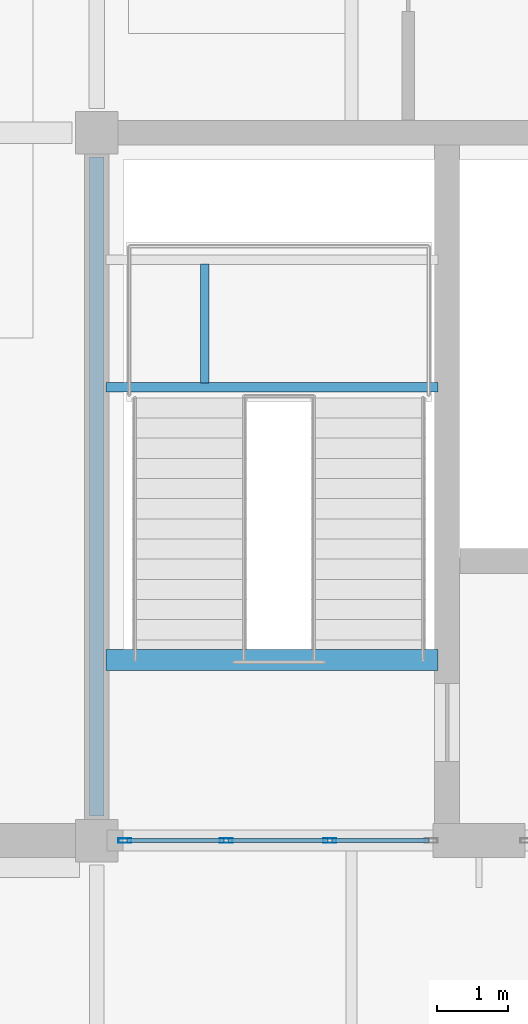
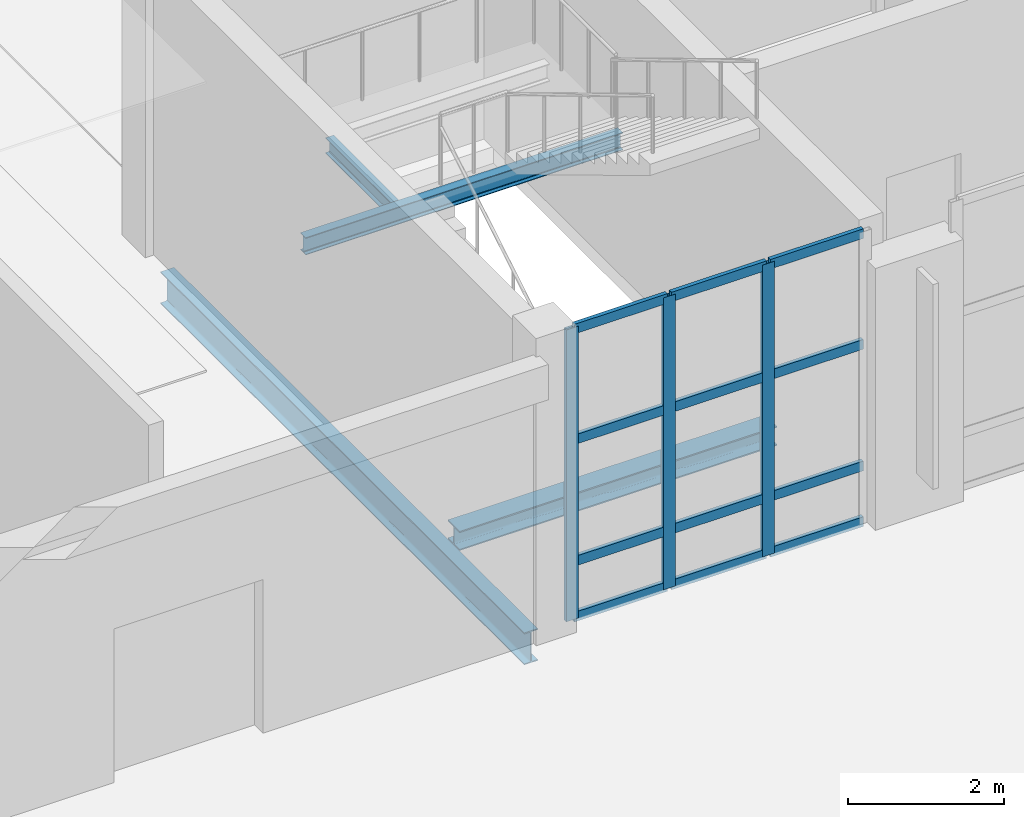
# One storey, part 21 of 100: 15 members, 4 beams, 1 element without a shape of its own.
"""IFC4 building model written with IfcOpenShell, lengths in metres."""

from ifc_helpers import new_model, si_unit, direction, frame, origin, origin_2d, place, context, subcontext, project, spatial, hollow_rectangle, i_section, extrude, material, layer, layer_set, material_profile, profile_set, type_object, element, aggregate, save


model = new_model("IFC4")

# Units and contexts
model_context = context("Model", 3, precision=1e-05, world=origin(), true_north=direction((0.0, 1.0)))
body_context = subcontext(model_context, "Body", "Model", "MODEL_VIEW")
ifc_project = project(units=[si_unit("LENGTHUNIT", "METRE"), si_unit("AREAUNIT", "SQUARE_METRE"), si_unit("VOLUMEUNIT", "CUBIC_METRE"), si_unit("PLANEANGLEUNIT", "RADIAN"), si_unit("MASSUNIT", "GRAM", prefix="KILO")], contexts=[model_context])

# Site, building, storey
site_placement = place(None, origin())
site = spatial("IfcSite", under=ifc_project, at=site_placement, CompositionType="ELEMENT")
building_placement = place(site_placement, origin())
building = spatial("IfcBuilding", under=site, at=building_placement, Name="Tasgan Crest Museum", CompositionType="ELEMENT")
storey_placement = place(building_placement, frame((0.0, 0.0, 9.60009765625)))
storey = spatial("IfcBuildingStorey", under=building, at=storey_placement, Name="L02", CompositionType="ELEMENT", Elevation=9.60009765625)

# Beams
ifc_material_1 = material(Name="Steel S355J2", Category="steel")
ifc_material_profile_1 = material_profile(ifc_material_1, i_section(OverallWidth=0.300048828125, OverallDepth=0.300048828125, WebThickness=0.010986328125, FlangeThickness=0.01904296875, FilletRadius=0.027099609375, at=origin_2d()), Name="HEB 300")
ifc_profile_set_1 = profile_set([ifc_material_profile_1], Name="Steel S355J2")
beam_type_1 = type_object("IfcBeamType", Name="BM-G-HEB300", PredefinedType="BEAM", material=ifc_profile_set_1)
beam_1_placement = place(storey_placement, frame((43.330078125, 42.550048828125, -0.150146484375), z_axis=(1.0, 0.0, 0.0), x_axis=(0.0, 1.0, 0.0)))
element("IfcBeam", 1, at=beam_1_placement, inside=storey, type_object=beam_type_1, Name="Stair threshold trimmer beam ST-SW-L02", PredefinedType="BEAM", context=body_context, shape_type="SweptSolid", body=[
    extrude(i_section(OverallWidth=0.300048828125, OverallDepth=0.300048828125, WebThickness=0.010986328125, FlangeThickness=0.01904296875, FilletRadius=0.027099609375, at=origin_2d()), origin(), (0.0, 0.0, 1.0), 4.68994140625),
])
ifc_material_2 = material(Name="Steel S355J2", Category="steel")
ifc_material_profile_2 = material_profile(ifc_material_2, i_section(OverallWidth=0.199951171875, OverallDepth=0.5, WebThickness=0.01025390625, FlangeThickness=0.01611328125, FilletRadius=0.02099609375, at=origin_2d()), Name="IPE 500")
ifc_profile_set_2 = profile_set([ifc_material_profile_2], Name="Steel S355J2")
beam_type_2 = type_object("IfcBeamType", Name="BM-G-IPE500", PredefinedType="BEAM", material=ifc_profile_set_2)
beam_2_placement = place(storey_placement, frame((43.199951171875, 40.344970703125, -0.510009765625), z_axis=(0.0, 1.0, 0.0), x_axis=(-1.0, 0.0, 0.0)))
element("IfcBeam", 2, at=beam_2_placement, inside=storey, type_object=beam_type_2, Name="Beam L02 5 40.0-50.0", PredefinedType="BEAM", context=body_context, shape_type="SweptSolid", body=[
    extrude(i_section(OverallWidth=0.199951171875, OverallDepth=0.5, WebThickness=0.01025390625, FlangeThickness=0.01611328125, FilletRadius=0.02099609375, at=origin_2d()), origin(), (0.0, 0.0, 1.0), 9.31005859375),
])
ifc_material_3 = material(Name="Steel S355J2", Category="steel")
ifc_material_profile_3 = material_profile(ifc_material_3, i_section(OverallWidth=0.1201171875, OverallDepth=0.239990234375, WebThickness=0.006103515625, FlangeThickness=0.009765625, FilletRadius=0.014892578125, at=origin_2d()), Name="IPE 240")
ifc_profile_set_3 = profile_set([ifc_material_profile_3], Name="Steel S355J2")
beam_type_3 = type_object("IfcBeamType", Name="BM-LAND-IPE240", PredefinedType="BEAM", material=ifc_profile_set_3)
beam_3_placement = place(storey_placement, frame((44.72509765625, 46.465087890625, 2.079833984375), z_axis=(0.0, 1.0, 0.0), x_axis=(-1.0, 0.0, 0.0)))
element("IfcBeam", 3, at=beam_3_placement, inside=storey, type_object=beam_type_3, Name="Stair half-landing crossbeam ST-SW-L02 T1", PredefinedType="BEAM", context=body_context, shape_type="SweptSolid", body=[
    extrude(i_section(OverallWidth=0.1201171875, OverallDepth=0.239990234375, WebThickness=0.006103515625, FlangeThickness=0.009765625, FilletRadius=0.014892578125, at=origin_2d()), origin(), (0.0, 0.0, 1.0), 1.679931640625),
])
ifc_material_4 = material(Name="Steel S355J2", Category="steel")
ifc_material_profile_4 = material_profile(ifc_material_4, i_section(OverallWidth=0.135009765625, OverallDepth=0.27001953125, WebThickness=0.006591796875, FlangeThickness=0.01025390625, FilletRadius=0.014892578125, at=origin_2d()), Name="IPE 270")
ifc_profile_set_4 = profile_set([ifc_material_profile_4], Name="Steel S355J2")
beam_type_4 = type_object("IfcBeamType", Name="BM-LAND-IPE270", PredefinedType="BEAM", material=ifc_profile_set_4)
beam_4_placement = place(storey_placement, frame((43.330078125, 46.405029296875, 2.06494140625), z_axis=(1.0, 0.0, 0.0), x_axis=(0.0, 1.0, 0.0)))
element("IfcBeam", 4, at=beam_4_placement, inside=storey, type_object=beam_type_4, Name="Stair half-landing beam ST-SW-L02 T1F", PredefinedType="BEAM", context=body_context, shape_type="SweptSolid", body=[
    extrude(i_section(OverallWidth=0.135009765625, OverallDepth=0.27001953125, WebThickness=0.006591796875, FlangeThickness=0.01025390625, FilletRadius=0.014892578125, at=origin_2d()), origin(), (0.0, 0.0, 1.0), 4.68994140625),
])

# Curtain wall, members
ifc_material_5 = material(Name="Triple-Glazed Aluminium Curtain Wall", Category="aluminium")
ifc_layer = layer(ifc_material_5, 0.179931640625, Name="CW-CANT-SIDE-48")
ifc_layer_set = layer_set([ifc_layer], Name="Triple-Glazed Aluminium Curtain Wall")
curtain_wall_type = type_object("IfcCurtainWallType", Name="CW-CANT-SIDE-48", PredefinedType="NOTDEFINED", material=ifc_layer_set)
curtain_wall_placement = place(storey_placement, origin())
curtain_wall = element("IfcCurtainWall", 5, at=curtain_wall_placement, inside=storey, type_object=curtain_wall_type, Name="Curtain wall L02 099", PredefinedType="NOTDEFINED")
ifc_material_6 = material(Name="Anodised Aluminium", Category="aluminium")
ifc_material_profile_5 = material_profile(ifc_material_6, hollow_rectangle(XDim=0.06494140625, YDim=0.179931640625, WallThickness=0.0048828125, at=origin_2d()), Name="ALU MULLION 180x65x5")
ifc_profile_set_5 = profile_set([ifc_material_profile_5], Name="Anodised Aluminium")
member_type_1 = type_object("IfcMemberType", Name="CW-MULLION-180", PredefinedType="MULLION", material=ifc_profile_set_5)
member_1_placement = place(storey_placement, frame((43.594970703125, 40.0, 0.0), z_axis=(0.0, 0.0, 1.0), x_axis=(0.0, 1.0, 0.0)))
member_1 = element("IfcMember", 6, at=member_1_placement, type_object=member_type_1, Name="CW11 mullion 1", PredefinedType="MULLION", context=body_context, shape_type="SweptSolid", body=[
    extrude(hollow_rectangle(XDim=0.06494140625, YDim=0.179931640625, WallThickness=0.0048828125, at=origin_2d()), origin(), (0.0, 0.0, 1.0), 4.559814453125),
])
member_2_placement = place(storey_placement, frame((45.0283203125, 40.0, 0.0), z_axis=(0.0, 0.0, 1.0), x_axis=(0.0, 1.0, 0.0)))
member_2 = element("IfcMember", 7, at=member_2_placement, type_object=member_type_1, Name="CW11 mullion 2", PredefinedType="MULLION", context=body_context, shape_type="SweptSolid", body=[
    extrude(hollow_rectangle(XDim=0.06494140625, YDim=0.179931640625, WallThickness=0.0048828125, at=origin_2d()), origin(), (0.0, 0.0, 1.0), 4.559814453125),
])
member_3_placement = place(storey_placement, frame((46.49169921875, 40.0, 0.0), z_axis=(0.0, 0.0, 1.0), x_axis=(0.0, 1.0, 0.0)))
member_3 = element("IfcMember", 8, at=member_3_placement, type_object=member_type_1, Name="CW11 mullion 3", PredefinedType="MULLION", context=body_context, shape_type="SweptSolid", body=[
    extrude(hollow_rectangle(XDim=0.06494140625, YDim=0.179931640625, WallThickness=0.0048828125, at=origin_2d()), origin(), (0.0, 0.0, 1.0), 4.559814453125),
])
ifc_material_7 = material(Name="Anodised Aluminium", Category="aluminium")
ifc_material_profile_6 = material_profile(ifc_material_7, hollow_rectangle(XDim=0.06005859375, YDim=0.14990234375, WallThickness=0.0048828125, at=origin_2d()), Name="ALU TRANSOM 150x60x5")
ifc_profile_set_6 = profile_set([ifc_material_profile_6], Name="Anodised Aluminium")
member_type_2 = type_object("IfcMemberType", Name="CW-TRANSOM-150", PredefinedType="USERDEFINED", material=ifc_profile_set_6)
member_4_placement = place(storey_placement, frame((43.625, 40.0, 0.02978515625), z_axis=(1.0, 0.0, 0.0), x_axis=(0.0, 1.0, 0.0)))
member_4 = element("IfcMember", 9, at=member_4_placement, type_object=member_type_2, Name="CW11 transom 1.1", ObjectType="TRANSOM", PredefinedType="USERDEFINED", context=body_context, shape_type="SweptSolid", body=[
    extrude(hollow_rectangle(XDim=0.06005859375, YDim=0.14990234375, WallThickness=0.0048828125, at=origin_2d()), origin(), (0.0, 0.0, 1.0), 1.373291015625),
])
member_5_placement = place(storey_placement, frame((43.625, 40.0, 0.89990234375), z_axis=(1.0, 0.0, 0.0), x_axis=(0.0, 1.0, 0.0)))
member_5 = element("IfcMember", 10, at=member_5_placement, type_object=member_type_2, Name="CW11 transom 1.2", ObjectType="TRANSOM", PredefinedType="USERDEFINED", context=body_context, shape_type="SweptSolid", body=[
    extrude(hollow_rectangle(XDim=0.06005859375, YDim=0.14990234375, WallThickness=0.0048828125, at=origin_2d()), origin(), (0.0, 0.0, 1.0), 1.373291015625),
])
member_6_placement = place(storey_placement, frame((43.625, 40.0, 2.7998046875), z_axis=(1.0, 0.0, 0.0), x_axis=(0.0, 1.0, 0.0)))
member_6 = element("IfcMember", 11, at=member_6_placement, type_object=member_type_2, Name="CW11 transom 1.3", ObjectType="TRANSOM", PredefinedType="USERDEFINED", context=body_context, shape_type="SweptSolid", body=[
    extrude(hollow_rectangle(XDim=0.06005859375, YDim=0.14990234375, WallThickness=0.0048828125, at=origin_2d()), origin(), (0.0, 0.0, 1.0), 1.373291015625),
])
member_7_placement = place(storey_placement, frame((43.625, 40.0, 4.52978515625), z_axis=(1.0, 0.0, 0.0), x_axis=(0.0, 1.0, 0.0)))
member_7 = element("IfcMember", 12, at=member_7_placement, type_object=member_type_2, Name="CW11 transom 1.4", ObjectType="TRANSOM", PredefinedType="USERDEFINED", context=body_context, shape_type="SweptSolid", body=[
    extrude(hollow_rectangle(XDim=0.06005859375, YDim=0.14990234375, WallThickness=0.0048828125, at=origin_2d()), origin(), (0.0, 0.0, 1.0), 1.373291015625),
])
member_8_placement = place(storey_placement, frame((45.058349609375, 40.0, 0.02978515625), z_axis=(1.0, 0.0, 0.0), x_axis=(0.0, 1.0, 0.0)))
member_8 = element("IfcMember", 13, at=member_8_placement, type_object=member_type_2, Name="CW11 transom 2.1", ObjectType="TRANSOM", PredefinedType="USERDEFINED", context=body_context, shape_type="SweptSolid", body=[
    extrude(hollow_rectangle(XDim=0.06005859375, YDim=0.14990234375, WallThickness=0.0048828125, at=origin_2d()), origin(), (0.0, 0.0, 1.0), 1.4033203125),
])
member_9_placement = place(storey_placement, frame((45.058349609375, 40.0, 0.89990234375), z_axis=(1.0, 0.0, 0.0), x_axis=(0.0, 1.0, 0.0)))
member_9 = element("IfcMember", 14, at=member_9_placement, type_object=member_type_2, Name="CW11 transom 2.2", ObjectType="TRANSOM", PredefinedType="USERDEFINED", context=body_context, shape_type="SweptSolid", body=[
    extrude(hollow_rectangle(XDim=0.06005859375, YDim=0.14990234375, WallThickness=0.0048828125, at=origin_2d()), origin(), (0.0, 0.0, 1.0), 1.4033203125),
])
member_10_placement = place(storey_placement, frame((45.058349609375, 40.0, 2.7998046875), z_axis=(1.0, 0.0, 0.0), x_axis=(0.0, 1.0, 0.0)))
member_10 = element("IfcMember", 15, at=member_10_placement, type_object=member_type_2, Name="CW11 transom 2.3", ObjectType="TRANSOM", PredefinedType="USERDEFINED", context=body_context, shape_type="SweptSolid", body=[
    extrude(hollow_rectangle(XDim=0.06005859375, YDim=0.14990234375, WallThickness=0.0048828125, at=origin_2d()), origin(), (0.0, 0.0, 1.0), 1.4033203125),
])
member_11_placement = place(storey_placement, frame((45.058349609375, 40.0, 4.52978515625), z_axis=(1.0, 0.0, 0.0), x_axis=(0.0, 1.0, 0.0)))
member_11 = element("IfcMember", 16, at=member_11_placement, type_object=member_type_2, Name="CW11 transom 2.4", ObjectType="TRANSOM", PredefinedType="USERDEFINED", context=body_context, shape_type="SweptSolid", body=[
    extrude(hollow_rectangle(XDim=0.06005859375, YDim=0.14990234375, WallThickness=0.0048828125, at=origin_2d()), origin(), (0.0, 0.0, 1.0), 1.4033203125),
])
member_12_placement = place(storey_placement, frame((46.521728515625, 40.0, 0.02978515625), z_axis=(1.0, 0.0, 0.0), x_axis=(0.0, 1.0, 0.0)))
member_12 = element("IfcMember", 17, at=member_12_placement, type_object=member_type_2, Name="CW11 transom 3.1", ObjectType="TRANSOM", PredefinedType="USERDEFINED", context=body_context, shape_type="SweptSolid", body=[
    extrude(hollow_rectangle(XDim=0.06005859375, YDim=0.14990234375, WallThickness=0.0048828125, at=origin_2d()), origin(), (0.0, 0.0, 1.0), 1.373291015625),
])
member_13_placement = place(storey_placement, frame((46.521728515625, 40.0, 0.89990234375), z_axis=(1.0, 0.0, 0.0), x_axis=(0.0, 1.0, 0.0)))
member_13 = element("IfcMember", 18, at=member_13_placement, type_object=member_type_2, Name="CW11 transom 3.2", ObjectType="TRANSOM", PredefinedType="USERDEFINED", context=body_context, shape_type="SweptSolid", body=[
    extrude(hollow_rectangle(XDim=0.06005859375, YDim=0.14990234375, WallThickness=0.0048828125, at=origin_2d()), origin(), (0.0, 0.0, 1.0), 1.373291015625),
])
member_14_placement = place(storey_placement, frame((46.521728515625, 40.0, 2.7998046875), z_axis=(1.0, 0.0, 0.0), x_axis=(0.0, 1.0, 0.0)))
member_14 = element("IfcMember", 19, at=member_14_placement, type_object=member_type_2, Name="CW11 transom 3.3", ObjectType="TRANSOM", PredefinedType="USERDEFINED", context=body_context, shape_type="SweptSolid", body=[
    extrude(hollow_rectangle(XDim=0.06005859375, YDim=0.14990234375, WallThickness=0.0048828125, at=origin_2d()), origin(), (0.0, 0.0, 1.0), 1.373291015625),
])
member_15_placement = place(storey_placement, frame((46.521728515625, 40.0, 4.52978515625), z_axis=(1.0, 0.0, 0.0), x_axis=(0.0, 1.0, 0.0)))
member_15 = element("IfcMember", 20, at=member_15_placement, type_object=member_type_2, Name="CW11 transom 3.4", ObjectType="TRANSOM", PredefinedType="USERDEFINED", context=body_context, shape_type="SweptSolid", body=[
    extrude(hollow_rectangle(XDim=0.06005859375, YDim=0.14990234375, WallThickness=0.0048828125, at=origin_2d()), origin(), (0.0, 0.0, 1.0), 1.373291015625),
])
aggregate(curtain_wall, [member_1, member_2, member_3, member_4, member_5, member_6, member_7, member_8, member_9, member_10, member_11, member_12, member_13, member_14, member_15])

save(model, "model.ifc")
